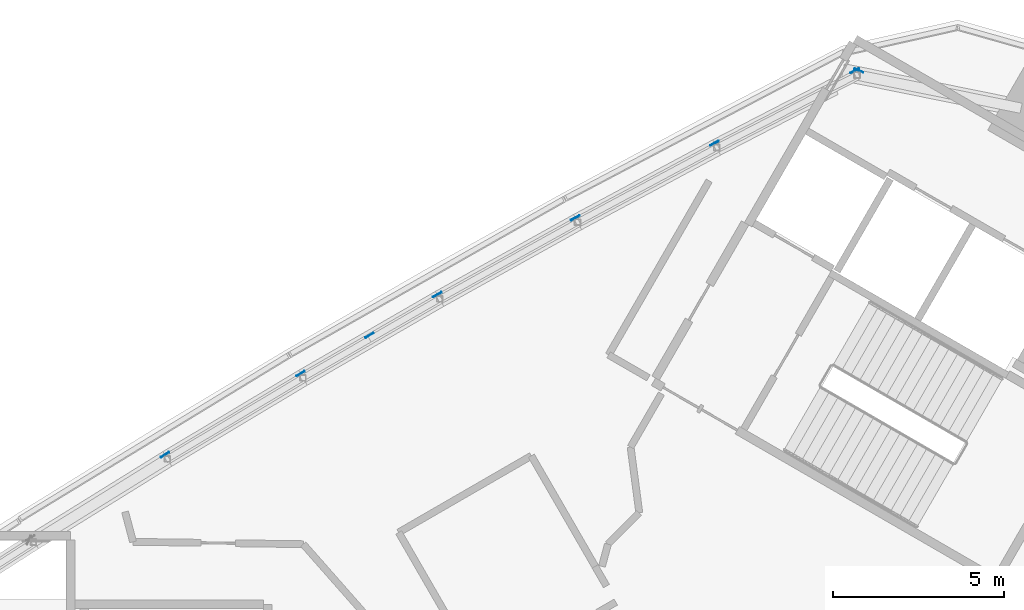
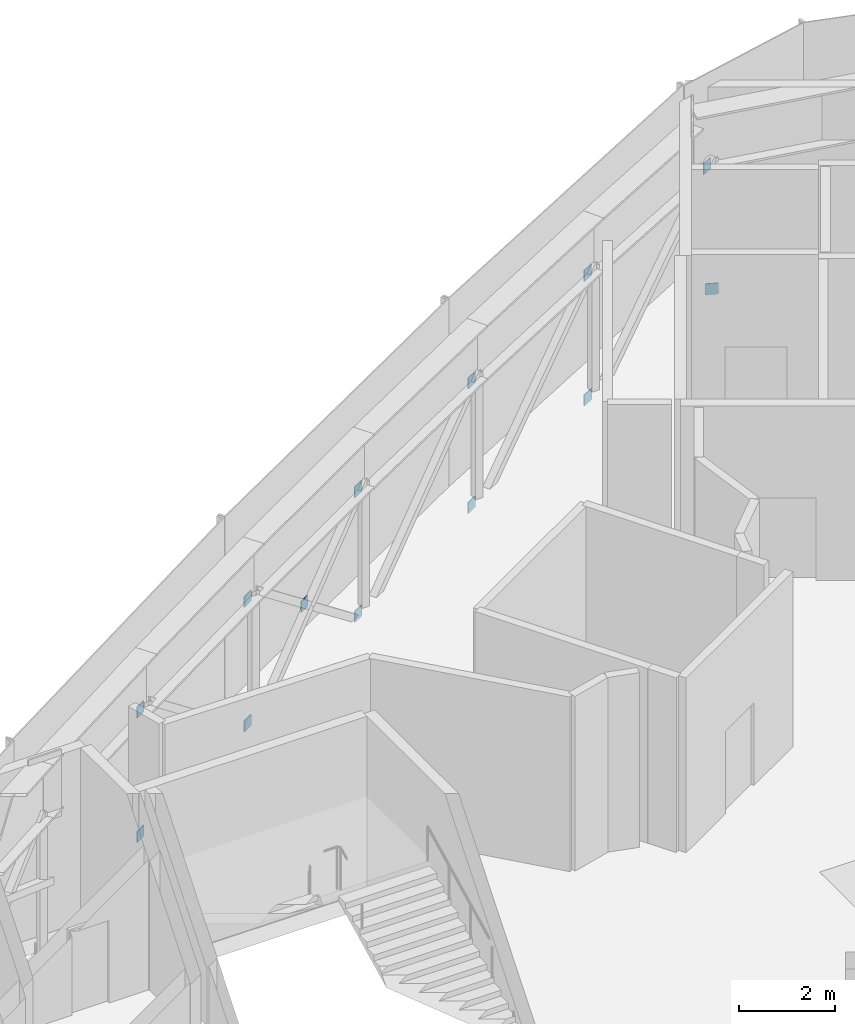
# One storey, part 13 of 21: 13 plates.
"""IFC4 building model written with IfcOpenShell, lengths in metres."""

from ifc_helpers import new_model, si_unit, direction, frame, origin, origin_2d, place, context, subcontext, project, spatial, rectangle, extrude, material, layer, layer_set, type_object, element, save


model = new_model("IFC4")

# Units and contexts
model_context = context("Model", 3, precision=1e-05, world=origin(), true_north=direction((0.0, 1.0)))
body_context = subcontext(model_context, "Body", "Model", "MODEL_VIEW")
ifc_project = project(units=[si_unit("LENGTHUNIT", "METRE"), si_unit("AREAUNIT", "SQUARE_METRE"), si_unit("VOLUMEUNIT", "CUBIC_METRE"), si_unit("PLANEANGLEUNIT", "RADIAN"), si_unit("MASSUNIT", "GRAM", prefix="KILO")], contexts=[model_context])

# Site, building, storey
site_placement = place(None, origin())
site = spatial("IfcSite", under=ifc_project, at=site_placement, CompositionType="ELEMENT")
building_placement = place(site_placement, origin())
building = spatial("IfcBuilding", under=site, at=building_placement, Name="Tamra Quay Hotel Tower", CompositionType="ELEMENT")
storey_placement = place(building_placement, frame((0.0, 0.0, 301.800048828125)))
storey = spatial("IfcBuildingStorey", under=building, at=storey_placement, Name="L76", CompositionType="ELEMENT", Elevation=301.800048828125)

# Plates
ifc_material = material(Name="Structural steel IS 2062 E350", Category="steel")
ifc_layer = layer(ifc_material, 0.02490234375)
ifc_layer_set = layer_set([ifc_layer], Name="BRACE END PLATE 25")
plate_type = type_object("IfcPlateType", Name="BRACE END PLATE 25", PredefinedType="SHEET", material=ifc_layer_set)
for number, where, z_axis, x_axis, name in (
    (1, (6.410400390625, 21.353271484375, -0.39990234375), (0.0, 0.0, 1.0), (0.385459990481, 0.922724550306, 0.0), "BEP-L76-009"),
    (2, (2.19921875, 19.234375, -0.39990234375), (0.0, 0.0, 1.0), (-0.458905438855, 0.888485114219, 0.0), "BEP-L76-010"),
    (3, (-1.863037109375, 17.055419921875, -0.39990234375), (0.0, 0.0, 1.0), (-0.472692269929, 0.88122756309, 0.0), "BEP-L76-011"),
    (4, (-5.89111328125, 14.81298828125, -0.39990234375), (0.0, 0.0, 1.0), (-0.493219340061, 0.869904984805, 0.0), "BEP-L76-012"),
    (5, (-9.8828125, 12.50830078125, -0.39990234375), (0.0, 0.0, 1.0), (-0.506753154959, 0.862091201637, 0.0), "BEP-L76-013"),
    (6, (-13.83984375, 10.140380859375, -0.39990234375), (0.0, 0.0, 1.0), (-0.53342113634, 0.845849804224, 0.0), "BEP-L76-014"),
    (7, (6.292236328125, 21.348388671875, 2.77001953125), (0.0, 0.0, 1.0), (-0.458905438855, 0.888485114219, 0.0), "BEP-L76-033"),
    (8, (2.197265625, 19.2333984375, 2.77001953125), (0.0, 0.0, 1.0), (-0.472692269929, 0.88122756309, 0.0), "BEP-L76-034"),
    (9, (-1.864990234375, 17.05419921875, 2.77001953125), (0.0, 0.0, 1.0), (-0.486410104636, 0.873730627887, 0.0), "BEP-L76-035"),
    (10, (-5.89208984375, 14.8125, 2.77001953125), (0.0, 0.0, 1.0), (-0.4999984885, 0.866026276448, 0.0), "BEP-L76-036"),
    (11, (-9.8818359375, 12.5087890625, 2.77001953125), (0.0, 0.0, 1.0), (-0.4999984885, 0.866026276448, 0.0), "BEP-L76-037"),
    (12, (-13.837158203125, 10.14208984375, 2.77001953125), (0.0, 0.0, 1.0), (-0.513476853563, 0.858103444146, 0.0), "BEP-L76-038"),
    (13, (-7.868408203125, 13.62841796875, 1.259765625), (0.0, 0.0, 1.0), (-0.4999984885, 0.866026276448, 0.0), "BEP-L76-051"),
):
    element("IfcPlate", number, at=place(storey_placement, frame(where, z_axis=z_axis, x_axis=x_axis)), inside=storey, type_object=plate_type, Name=name, PredefinedType="SHEET", context=body_context, shape_type="SweptSolid", body=[
        extrude(rectangle(XDim=0.02490234375, YDim=0.280029296875, at=origin_2d()), origin(), (0.0, 0.0, 1.0), 0.280029296875),
    ])

save(model, "model.ifc")
